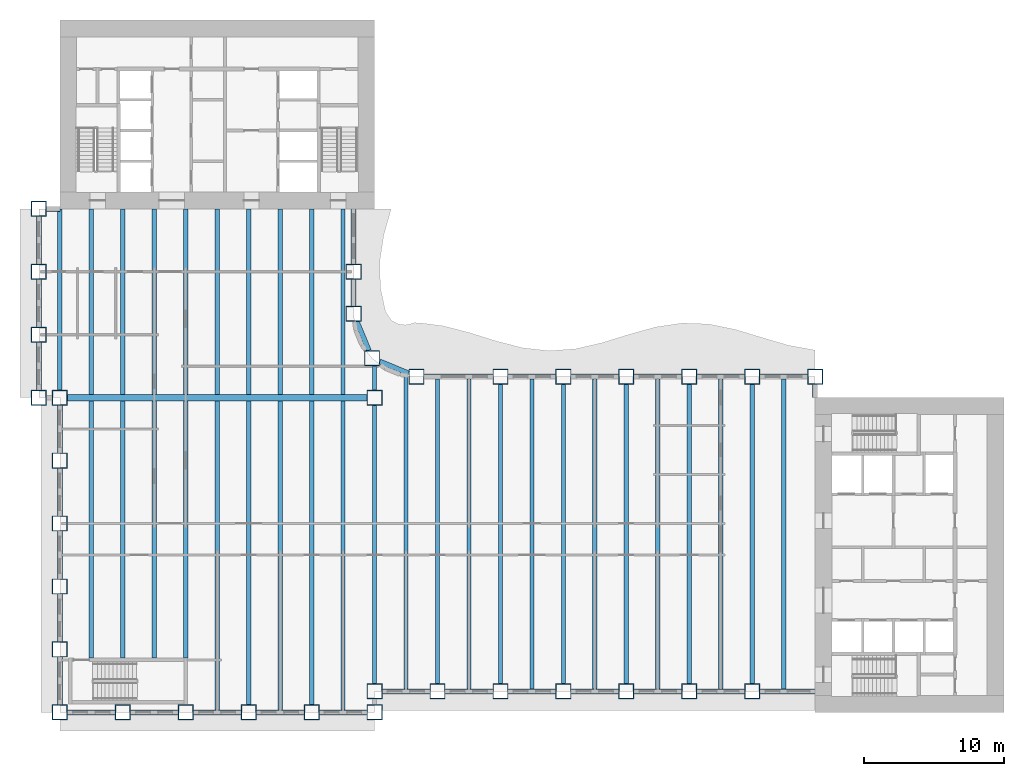
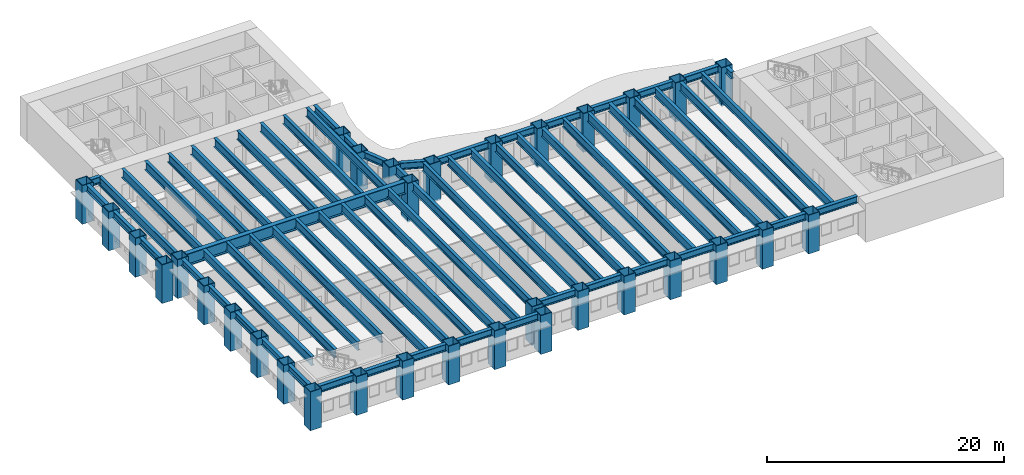
# One storey, part 1 of 16: 67 beams, 33 columns.
"""IFC4 building model written with IfcOpenShell, lengths in metres."""

from ifc_helpers import new_model, si_unit, direction, frame, origin, origin_2d, place, context, subcontext, project, spatial, hollow_rectangle, i_section, extrude, material, material_profile, profile_set, type_object, element, save


model = new_model("IFC4")

# Units and contexts
model_context = context("Model", 3, precision=1e-05, world=origin(), true_north=direction((0.0, 1.0)))
body_context = subcontext(model_context, "Body", "Model", "MODEL_VIEW")
ifc_project = project(units=[si_unit("LENGTHUNIT", "METRE"), si_unit("AREAUNIT", "SQUARE_METRE"), si_unit("VOLUMEUNIT", "CUBIC_METRE"), si_unit("PLANEANGLEUNIT", "RADIAN"), si_unit("MASSUNIT", "GRAM", prefix="KILO")], contexts=[model_context])

# Site, building, storey
site_placement = place(None, origin())
site = spatial("IfcSite", under=ifc_project, at=site_placement, CompositionType="ELEMENT")
building_placement = place(site_placement, origin())
building = spatial("IfcBuilding", under=site, at=building_placement, Name="Sennacour Bend Tower", CompositionType="ELEMENT")
storey_placement = place(building_placement, frame((0.0, 0.0, 45.0)))
storey = spatial("IfcBuildingStorey", under=building, at=storey_placement, Name="L09", CompositionType="ELEMENT", Elevation=45.0)

# Columns
ifc_material_1 = material(Name="Steel ASTM A572 Grade 50", Category="steel")
ifc_material_profile_1 = material_profile(ifc_material_1, hollow_rectangle(XDim=1.10009765625, YDim=1.10009765625, WallThickness=0.06005859375, at=origin_2d()), Name="Steel ASTM A572 Grade 50", Category="steel")
ifc_profile_set_1 = profile_set([ifc_material_profile_1], Name="Steel ASTM A572 Grade 50")
column_type = type_object("IfcColumnType", Name="Box column 1100", PredefinedType="COLUMN", material=ifc_profile_set_1)
for number, where, z_axis, x_axis, name in (
    (1, (-1.5, 22.5, -0.14990234375), (0.0, 0.0, 1.0), (1.0, 0.0, 0.0), "Perimeter column C1 L09-001"),
    (2, (-1.5, 27.0, -0.14990234375), (0.0, 0.0, 1.0), (1.0, 0.0, 0.0), "Perimeter column C1 L09-002"),
    (3, (-1.5, 31.5, -0.14990234375), (0.0, 0.0, 1.0), (1.0, 0.0, 0.0), "Perimeter column C1 L09-003"),
    (4, (-1.5, 36.0, -0.14990234375), (0.0, 0.0, 1.0), (1.0, 0.0, 0.0), "Perimeter column C1 L09-004"),
    (5, (0.0, 0.0, -0.14990234375), (0.0, 0.0, 1.0), (1.0, 0.0, 0.0), "Perimeter column C1 L09-005"),
    (6, (0.0, 4.5, -0.14990234375), (0.0, 0.0, 1.0), (1.0, 0.0, 0.0), "Perimeter column C1 L09-006"),
    (7, (0.0, 9.0, -0.14990234375), (0.0, 0.0, 1.0), (1.0, 0.0, 0.0), "Perimeter column C1 L09-007"),
    (8, (0.0, 13.5, -0.14990234375), (0.0, 0.0, 1.0), (1.0, 0.0, 0.0), "Perimeter column C1 L09-008"),
    (9, (0.0, 18.0, -0.14990234375), (0.0, 0.0, 1.0), (1.0, 0.0, 0.0), "Perimeter column C1 L09-009"),
    (10, (0.0, 22.5, -0.14990234375), (0.0, 0.0, 1.0), (1.0, 0.0, 0.0), "Perimeter column C1 L09-010"),
    (11, (4.5, 0.0, -0.14990234375), (0.0, 0.0, 1.0), (1.0, 0.0, 0.0), "Perimeter column C1 L09-011"),
    (12, (9.0, 0.0, -0.14990234375), (0.0, 0.0, 1.0), (1.0, 0.0, 0.0), "Perimeter column C1 L09-012"),
    (13, (13.5, 0.0, -0.14990234375), (0.0, 0.0, 1.0), (1.0, 0.0, 0.0), "Perimeter column C1 L09-013"),
    (14, (18.0, 0.0, -0.14990234375), (0.0, 0.0, 1.0), (1.0, 0.0, 0.0), "Perimeter column C1 L09-014"),
    (15, (21.0, 28.5, -0.14990234375), (0.0, 0.0, 1.0), (1.0, 0.0, 0.0), "Perimeter column C1 L09-015"),
    (16, (21.0, 31.5, -0.14990234375), (0.0, 0.0, 1.0), (1.0, 0.0, 0.0), "Perimeter column C1 L09-016"),
    (17, (22.318115234375, 25.318115234375, -0.14990234375), (0.0, 0.0, 1.0), (1.0, 0.0, 0.0), "Perimeter column C1 L09-017"),
    (18, (22.5, 0.0, -0.14990234375), (0.0, 0.0, 1.0), (1.0, 0.0, 0.0), "Perimeter column C1 L09-018"),
    (19, (22.5, 1.5, -0.14990234375), (0.0, 0.0, 1.0), (1.0, 0.0, 0.0), "Perimeter column C1 L09-019"),
    (20, (22.5, 22.5, -0.14990234375), (0.0, 0.0, 1.0), (1.0, 0.0, 0.0), "Knuckle column C1 L09-020"),
    (21, (25.5, 24.0, -0.14990234375), (0.0, 0.0, 1.0), (1.0, 0.0, 0.0), "Perimeter column C1 L09-021"),
    (22, (27.0, 1.5, -0.14990234375), (0.0, 0.0, 1.0), (1.0, 0.0, 0.0), "Perimeter column C1 L09-022"),
    (23, (31.5, 1.5, -0.14990234375), (0.0, 0.0, 1.0), (1.0, 0.0, 0.0), "Perimeter column C1 L09-023"),
    (24, (31.5, 24.0, -0.14990234375), (0.0, 0.0, 1.0), (1.0, 0.0, 0.0), "Perimeter column C1 L09-024"),
    (25, (36.0, 1.5, -0.14990234375), (0.0, 0.0, 1.0), (1.0, 0.0, 0.0), "Perimeter column C1 L09-025"),
    (26, (36.0, 24.0, -0.14990234375), (0.0, 0.0, 1.0), (1.0, 0.0, 0.0), "Perimeter column C1 L09-026"),
    (27, (40.5, 1.5, -0.14990234375), (0.0, 0.0, 1.0), (1.0, 0.0, 0.0), "Perimeter column C1 L09-027"),
    (28, (40.5, 24.0, -0.14990234375), (0.0, 0.0, 1.0), (1.0, 0.0, 0.0), "Perimeter column C1 L09-028"),
    (29, (45.0, 1.5, -0.14990234375), (0.0, 0.0, 1.0), (1.0, 0.0, 0.0), "Perimeter column C1 L09-029"),
    (30, (45.0, 24.0, -0.14990234375), (0.0, 0.0, 1.0), (1.0, 0.0, 0.0), "Perimeter column C1 L09-030"),
    (31, (49.5, 1.5, -0.14990234375), (0.0, 0.0, 1.0), (1.0, 0.0, 0.0), "Perimeter column C1 L09-031"),
    (32, (49.5, 24.0, -0.14990234375), (0.0, 0.0, 1.0), (1.0, 0.0, 0.0), "Perimeter column C1 L09-032"),
    (33, (54.0, 24.0, -0.14990234375), (0.0, 0.0, 1.0), (1.0, 0.0, 0.0), "Perimeter column C1 L09-033"),
):
    element("IfcColumn", number, at=place(storey_placement, frame(where, z_axis=z_axis, x_axis=x_axis)), inside=storey, type_object=column_type, Name=name, PredefinedType="COLUMN", context=body_context, shape_type="SweptSolid", body=[
        extrude(hollow_rectangle(XDim=1.10009765625, YDim=1.10009765625, WallThickness=0.06005859375, at=origin_2d()), origin(), (0.0, 0.0, 1.0), 4.0),
    ])

# Beams
ifc_material_2 = material(Name="Steel ASTM A992 Grade 50", Category="steel")
ifc_material_profile_2 = material_profile(ifc_material_2, i_section(OverallWidth=0.304931640625, OverallDepth=0.912109375, WebThickness=0.015869140625, FlangeThickness=0.02392578125, FilletRadius=0.01904296875, at=origin_2d()), Name="Steel ASTM A992 Grade 50", Category="steel")
ifc_profile_set_2 = profile_set([ifc_material_profile_2], Name="Steel ASTM A992 Grade 50")
beam_type_1 = type_object("IfcBeamType", Name="Floor beam W920X223", PredefinedType="BEAM", material=ifc_profile_set_2)
beam_1_placement = place(storey_placement, frame((0.0, 23.050048828125, 3.39404296875), z_axis=(0.0, 1.0, 0.0), x_axis=(-1.0, 0.0, 0.0)))
element("IfcBeam", 34, at=beam_1_placement, inside=storey, type_object=beam_type_1, Name="Floor beam FBM1 L10-001", PredefinedType="BEAM", context=body_context, shape_type="SweptSolid", body=[
    extrude(i_section(OverallWidth=0.304931640625, OverallDepth=0.912109375, WebThickness=0.015869140625, FlangeThickness=0.02392578125, FilletRadius=0.01904296875, at=origin_2d()), origin(), (0.0, 0.0, 1.0), 12.949951171875),
])
beam_2_placement = place(storey_placement, frame((2.25, 3.875, 3.39404296875), z_axis=(0.0, 1.0, 0.0), x_axis=(-1.0, 0.0, 0.0)))
element("IfcBeam", 35, at=beam_2_placement, inside=storey, type_object=beam_type_1, Name="Floor beam FBM1 L10-002", PredefinedType="BEAM", context=body_context, shape_type="SweptSolid", body=[
    extrude(i_section(OverallWidth=0.304931640625, OverallDepth=0.912109375, WebThickness=0.015869140625, FlangeThickness=0.02392578125, FilletRadius=0.01904296875, at=origin_2d()), origin(), (0.0, 0.0, 1.0), 18.39990234375),
])
beam_3_placement = place(storey_placement, frame((2.25, 22.72509765625, 3.39404296875), z_axis=(0.0, 1.0, 0.0), x_axis=(-1.0, 0.0, 0.0)))
element("IfcBeam", 36, at=beam_3_placement, inside=storey, type_object=beam_type_1, Name="Floor beam FBM1 L10-003", PredefinedType="BEAM", context=body_context, shape_type="SweptSolid", body=[
    extrude(i_section(OverallWidth=0.304931640625, OverallDepth=0.912109375, WebThickness=0.015869140625, FlangeThickness=0.02392578125, FilletRadius=0.01904296875, at=origin_2d()), origin(), (0.0, 0.0, 1.0), 13.27490234375),
])
beam_4_placement = place(storey_placement, frame((4.5, 3.875, 3.39404296875), z_axis=(0.0, 1.0, 0.0), x_axis=(-1.0, 0.0, 0.0)))
element("IfcBeam", 37, at=beam_4_placement, inside=storey, type_object=beam_type_1, Name="Floor beam FBM1 L10-004", PredefinedType="BEAM", context=body_context, shape_type="SweptSolid", body=[
    extrude(i_section(OverallWidth=0.304931640625, OverallDepth=0.912109375, WebThickness=0.015869140625, FlangeThickness=0.02392578125, FilletRadius=0.01904296875, at=origin_2d()), origin(), (0.0, 0.0, 1.0), 18.39990234375),
])
beam_5_placement = place(storey_placement, frame((4.5, 22.72509765625, 3.39404296875), z_axis=(0.0, 1.0, 0.0), x_axis=(-1.0, 0.0, 0.0)))
element("IfcBeam", 38, at=beam_5_placement, inside=storey, type_object=beam_type_1, Name="Floor beam FBM1 L10-005", PredefinedType="BEAM", context=body_context, shape_type="SweptSolid", body=[
    extrude(i_section(OverallWidth=0.304931640625, OverallDepth=0.912109375, WebThickness=0.015869140625, FlangeThickness=0.02392578125, FilletRadius=0.01904296875, at=origin_2d()), origin(), (0.0, 0.0, 1.0), 13.27490234375),
])
beam_6_placement = place(storey_placement, frame((6.75, 3.875, 3.39404296875), z_axis=(0.0, 1.0, 0.0), x_axis=(-1.0, 0.0, 0.0)))
element("IfcBeam", 39, at=beam_6_placement, inside=storey, type_object=beam_type_1, Name="Floor beam FBM1 L10-006", PredefinedType="BEAM", context=body_context, shape_type="SweptSolid", body=[
    extrude(i_section(OverallWidth=0.304931640625, OverallDepth=0.912109375, WebThickness=0.015869140625, FlangeThickness=0.02392578125, FilletRadius=0.01904296875, at=origin_2d()), origin(), (0.0, 0.0, 1.0), 18.39990234375),
])
beam_7_placement = place(storey_placement, frame((6.75, 22.72509765625, 3.39404296875), z_axis=(0.0, 1.0, 0.0), x_axis=(-1.0, 0.0, 0.0)))
element("IfcBeam", 40, at=beam_7_placement, inside=storey, type_object=beam_type_1, Name="Floor beam FBM1 L10-007", PredefinedType="BEAM", context=body_context, shape_type="SweptSolid", body=[
    extrude(i_section(OverallWidth=0.304931640625, OverallDepth=0.912109375, WebThickness=0.015869140625, FlangeThickness=0.02392578125, FilletRadius=0.01904296875, at=origin_2d()), origin(), (0.0, 0.0, 1.0), 13.27490234375),
])
beam_8_placement = place(storey_placement, frame((9.0, 3.875, 3.39404296875), z_axis=(0.0, 1.0, 0.0), x_axis=(-1.0, 0.0, 0.0)))
element("IfcBeam", 41, at=beam_8_placement, inside=storey, type_object=beam_type_1, Name="Floor beam FBM1 L10-008", PredefinedType="BEAM", context=body_context, shape_type="SweptSolid", body=[
    extrude(i_section(OverallWidth=0.304931640625, OverallDepth=0.912109375, WebThickness=0.015869140625, FlangeThickness=0.02392578125, FilletRadius=0.01904296875, at=origin_2d()), origin(), (0.0, 0.0, 1.0), 18.39990234375),
])
beam_9_placement = place(storey_placement, frame((9.0, 22.72509765625, 3.39404296875), z_axis=(0.0, 1.0, 0.0), x_axis=(-1.0, 0.0, 0.0)))
element("IfcBeam", 42, at=beam_9_placement, inside=storey, type_object=beam_type_1, Name="Floor beam FBM1 L10-009", PredefinedType="BEAM", context=body_context, shape_type="SweptSolid", body=[
    extrude(i_section(OverallWidth=0.304931640625, OverallDepth=0.912109375, WebThickness=0.015869140625, FlangeThickness=0.02392578125, FilletRadius=0.01904296875, at=origin_2d()), origin(), (0.0, 0.0, 1.0), 13.27490234375),
])
beam_10_placement = place(storey_placement, frame((11.25, 0.178955078125, 3.39404296875), z_axis=(0.0, 1.0, 0.0), x_axis=(-1.0, 0.0, 0.0)))
element("IfcBeam", 43, at=beam_10_placement, inside=storey, type_object=beam_type_1, Name="Floor beam FBM1 L10-010", PredefinedType="BEAM", context=body_context, shape_type="SweptSolid", body=[
    extrude(i_section(OverallWidth=0.304931640625, OverallDepth=0.912109375, WebThickness=0.015869140625, FlangeThickness=0.02392578125, FilletRadius=0.01904296875, at=origin_2d()), origin(), (0.0, 0.0, 1.0), 22.095947265625),
])
beam_11_placement = place(storey_placement, frame((11.25, 22.72509765625, 3.39404296875), z_axis=(0.0, 1.0, 0.0), x_axis=(-1.0, 0.0, 0.0)))
element("IfcBeam", 44, at=beam_11_placement, inside=storey, type_object=beam_type_1, Name="Floor beam FBM1 L10-011", PredefinedType="BEAM", context=body_context, shape_type="SweptSolid", body=[
    extrude(i_section(OverallWidth=0.304931640625, OverallDepth=0.912109375, WebThickness=0.015869140625, FlangeThickness=0.02392578125, FilletRadius=0.01904296875, at=origin_2d()), origin(), (0.0, 0.0, 1.0), 13.27490234375),
])
beam_12_placement = place(storey_placement, frame((13.5, 0.550048828125, 3.39404296875), z_axis=(0.0, 1.0, 0.0), x_axis=(-1.0, 0.0, 0.0)))
element("IfcBeam", 45, at=beam_12_placement, inside=storey, type_object=beam_type_1, Name="Floor beam FBM1 L10-012", PredefinedType="BEAM", context=body_context, shape_type="SweptSolid", body=[
    extrude(i_section(OverallWidth=0.304931640625, OverallDepth=0.912109375, WebThickness=0.015869140625, FlangeThickness=0.02392578125, FilletRadius=0.01904296875, at=origin_2d()), origin(), (0.0, 0.0, 1.0), 21.724853515625),
])
beam_13_placement = place(storey_placement, frame((13.5, 22.72509765625, 3.39404296875), z_axis=(0.0, 1.0, 0.0), x_axis=(-1.0, 0.0, 0.0)))
element("IfcBeam", 46, at=beam_13_placement, inside=storey, type_object=beam_type_1, Name="Floor beam FBM1 L10-013", PredefinedType="BEAM", context=body_context, shape_type="SweptSolid", body=[
    extrude(i_section(OverallWidth=0.304931640625, OverallDepth=0.912109375, WebThickness=0.015869140625, FlangeThickness=0.02392578125, FilletRadius=0.01904296875, at=origin_2d()), origin(), (0.0, 0.0, 1.0), 13.27490234375),
])
beam_14_placement = place(storey_placement, frame((15.75, 0.178955078125, 3.39404296875), z_axis=(0.0, 1.0, 0.0), x_axis=(-1.0, 0.0, 0.0)))
element("IfcBeam", 47, at=beam_14_placement, inside=storey, type_object=beam_type_1, Name="Floor beam FBM1 L10-014", PredefinedType="BEAM", context=body_context, shape_type="SweptSolid", body=[
    extrude(i_section(OverallWidth=0.304931640625, OverallDepth=0.912109375, WebThickness=0.015869140625, FlangeThickness=0.02392578125, FilletRadius=0.01904296875, at=origin_2d()), origin(), (0.0, 0.0, 1.0), 22.095947265625),
])
beam_15_placement = place(storey_placement, frame((15.75, 22.72509765625, 3.39404296875), z_axis=(0.0, 1.0, 0.0), x_axis=(-1.0, 0.0, 0.0)))
element("IfcBeam", 48, at=beam_15_placement, inside=storey, type_object=beam_type_1, Name="Floor beam FBM1 L10-015", PredefinedType="BEAM", context=body_context, shape_type="SweptSolid", body=[
    extrude(i_section(OverallWidth=0.304931640625, OverallDepth=0.912109375, WebThickness=0.015869140625, FlangeThickness=0.02392578125, FilletRadius=0.01904296875, at=origin_2d()), origin(), (0.0, 0.0, 1.0), 13.27490234375),
])
beam_16_placement = place(storey_placement, frame((18.0, 0.550048828125, 3.39404296875), z_axis=(0.0, 1.0, 0.0), x_axis=(-1.0, 0.0, 0.0)))
element("IfcBeam", 49, at=beam_16_placement, inside=storey, type_object=beam_type_1, Name="Floor beam FBM1 L10-016", PredefinedType="BEAM", context=body_context, shape_type="SweptSolid", body=[
    extrude(i_section(OverallWidth=0.304931640625, OverallDepth=0.912109375, WebThickness=0.015869140625, FlangeThickness=0.02392578125, FilletRadius=0.01904296875, at=origin_2d()), origin(), (0.0, 0.0, 1.0), 21.724853515625),
])
beam_17_placement = place(storey_placement, frame((18.0, 22.72509765625, 3.39404296875), z_axis=(0.0, 1.0, 0.0), x_axis=(-1.0, 0.0, 0.0)))
element("IfcBeam", 50, at=beam_17_placement, inside=storey, type_object=beam_type_1, Name="Floor beam FBM1 L10-017", PredefinedType="BEAM", context=body_context, shape_type="SweptSolid", body=[
    extrude(i_section(OverallWidth=0.304931640625, OverallDepth=0.912109375, WebThickness=0.015869140625, FlangeThickness=0.02392578125, FilletRadius=0.01904296875, at=origin_2d()), origin(), (0.0, 0.0, 1.0), 13.27490234375),
])
beam_18_placement = place(storey_placement, frame((20.25, 0.178955078125, 3.39404296875), z_axis=(0.0, 1.0, 0.0), x_axis=(-1.0, 0.0, 0.0)))
element("IfcBeam", 51, at=beam_18_placement, inside=storey, type_object=beam_type_1, Name="Floor beam FBM1 L10-018", PredefinedType="BEAM", context=body_context, shape_type="SweptSolid", body=[
    extrude(i_section(OverallWidth=0.304931640625, OverallDepth=0.912109375, WebThickness=0.015869140625, FlangeThickness=0.02392578125, FilletRadius=0.01904296875, at=origin_2d()), origin(), (0.0, 0.0, 1.0), 22.095947265625),
])
beam_19_placement = place(storey_placement, frame((20.25, 22.72509765625, 3.39404296875), z_axis=(0.0, 1.0, 0.0), x_axis=(-1.0, 0.0, 0.0)))
element("IfcBeam", 52, at=beam_19_placement, inside=storey, type_object=beam_type_1, Name="Floor beam FBM1 L10-019", PredefinedType="BEAM", context=body_context, shape_type="SweptSolid", body=[
    extrude(i_section(OverallWidth=0.304931640625, OverallDepth=0.912109375, WebThickness=0.015869140625, FlangeThickness=0.02392578125, FilletRadius=0.01904296875, at=origin_2d()), origin(), (0.0, 0.0, 1.0), 13.27490234375),
])
beam_20_placement = place(storey_placement, frame((22.5, 2.050048828125, 3.39404296875), z_axis=(0.0, 1.0, 0.0), x_axis=(-1.0, 0.0, 0.0)))
element("IfcBeam", 53, at=beam_20_placement, inside=storey, type_object=beam_type_1, Name="Floor beam FBM1 L10-020", PredefinedType="BEAM", context=body_context, shape_type="SweptSolid", body=[
    extrude(i_section(OverallWidth=0.304931640625, OverallDepth=0.912109375, WebThickness=0.015869140625, FlangeThickness=0.02392578125, FilletRadius=0.01904296875, at=origin_2d()), origin(), (0.0, 0.0, 1.0), 19.89990234375),
])
beam_21_placement = place(storey_placement, frame((22.5, 23.050048828125, 3.39404296875), z_axis=(0.0, 1.0, 0.0), x_axis=(-1.0, 0.0, 0.0)))
element("IfcBeam", 54, at=beam_21_placement, inside=storey, type_object=beam_type_1, Name="Floor beam FBM1 L10-021", PredefinedType="BEAM", context=body_context, shape_type="SweptSolid", body=[
    extrude(i_section(OverallWidth=0.304931640625, OverallDepth=0.912109375, WebThickness=0.015869140625, FlangeThickness=0.02392578125, FilletRadius=0.01904296875, at=origin_2d()), origin(), (0.0, 0.0, 1.0), 1.718017578125),
])
beam_22_placement = place(storey_placement, frame((24.75, 1.678955078125, 3.39404296875), z_axis=(0.0, 1.0, 0.0), x_axis=(-1.0, 0.0, 0.0)))
element("IfcBeam", 55, at=beam_22_placement, inside=storey, type_object=beam_type_1, Name="Floor beam FBM1 L10-022", PredefinedType="BEAM", context=body_context, shape_type="SweptSolid", body=[
    extrude(i_section(OverallWidth=0.304931640625, OverallDepth=0.912109375, WebThickness=0.015869140625, FlangeThickness=0.02392578125, FilletRadius=0.01904296875, at=origin_2d()), origin(), (0.0, 0.0, 1.0), 22.43798828125),
])
beam_23_placement = place(storey_placement, frame((27.0, 2.050048828125, 3.39404296875), z_axis=(0.0, 1.0, 0.0), x_axis=(-1.0, 0.0, 0.0)))
element("IfcBeam", 56, at=beam_23_placement, inside=storey, type_object=beam_type_1, Name="Floor beam FBM1 L10-023", PredefinedType="BEAM", context=body_context, shape_type="SweptSolid", body=[
    extrude(i_section(OverallWidth=0.304931640625, OverallDepth=0.912109375, WebThickness=0.015869140625, FlangeThickness=0.02392578125, FilletRadius=0.01904296875, at=origin_2d()), origin(), (0.0, 0.0, 1.0), 21.77099609375),
])
beam_24_placement = place(storey_placement, frame((29.25, 1.678955078125, 3.39404296875), z_axis=(0.0, 1.0, 0.0), x_axis=(-1.0, 0.0, 0.0)))
element("IfcBeam", 57, at=beam_24_placement, inside=storey, type_object=beam_type_1, Name="Floor beam FBM1 L10-024", PredefinedType="BEAM", context=body_context, shape_type="SweptSolid", body=[
    extrude(i_section(OverallWidth=0.304931640625, OverallDepth=0.912109375, WebThickness=0.015869140625, FlangeThickness=0.02392578125, FilletRadius=0.01904296875, at=origin_2d()), origin(), (0.0, 0.0, 1.0), 22.14208984375),
])
beam_25_placement = place(storey_placement, frame((31.5, 2.050048828125, 3.39404296875), z_axis=(0.0, 1.0, 0.0), x_axis=(-1.0, 0.0, 0.0)))
element("IfcBeam", 58, at=beam_25_placement, inside=storey, type_object=beam_type_1, Name="Floor beam FBM1 L10-025", PredefinedType="BEAM", context=body_context, shape_type="SweptSolid", body=[
    extrude(i_section(OverallWidth=0.304931640625, OverallDepth=0.912109375, WebThickness=0.015869140625, FlangeThickness=0.02392578125, FilletRadius=0.01904296875, at=origin_2d()), origin(), (0.0, 0.0, 1.0), 21.39990234375),
])
beam_26_placement = place(storey_placement, frame((33.75, 1.678955078125, 3.39404296875), z_axis=(0.0, 1.0, 0.0), x_axis=(-1.0, 0.0, 0.0)))
element("IfcBeam", 59, at=beam_26_placement, inside=storey, type_object=beam_type_1, Name="Floor beam FBM1 L10-026", PredefinedType="BEAM", context=body_context, shape_type="SweptSolid", body=[
    extrude(i_section(OverallWidth=0.304931640625, OverallDepth=0.912109375, WebThickness=0.015869140625, FlangeThickness=0.02392578125, FilletRadius=0.01904296875, at=origin_2d()), origin(), (0.0, 0.0, 1.0), 22.14208984375),
])
beam_27_placement = place(storey_placement, frame((36.0, 2.050048828125, 3.39404296875), z_axis=(0.0, 1.0, 0.0), x_axis=(-1.0, 0.0, 0.0)))
element("IfcBeam", 60, at=beam_27_placement, inside=storey, type_object=beam_type_1, Name="Floor beam FBM1 L10-027", PredefinedType="BEAM", context=body_context, shape_type="SweptSolid", body=[
    extrude(i_section(OverallWidth=0.304931640625, OverallDepth=0.912109375, WebThickness=0.015869140625, FlangeThickness=0.02392578125, FilletRadius=0.01904296875, at=origin_2d()), origin(), (0.0, 0.0, 1.0), 21.39990234375),
])
beam_28_placement = place(storey_placement, frame((38.25, 1.678955078125, 3.39404296875), z_axis=(0.0, 1.0, 0.0), x_axis=(-1.0, 0.0, 0.0)))
element("IfcBeam", 61, at=beam_28_placement, inside=storey, type_object=beam_type_1, Name="Floor beam FBM1 L10-028", PredefinedType="BEAM", context=body_context, shape_type="SweptSolid", body=[
    extrude(i_section(OverallWidth=0.304931640625, OverallDepth=0.912109375, WebThickness=0.015869140625, FlangeThickness=0.02392578125, FilletRadius=0.01904296875, at=origin_2d()), origin(), (0.0, 0.0, 1.0), 22.14208984375),
])
beam_29_placement = place(storey_placement, frame((40.5, 2.050048828125, 3.39404296875), z_axis=(0.0, 1.0, 0.0), x_axis=(-1.0, 0.0, 0.0)))
element("IfcBeam", 62, at=beam_29_placement, inside=storey, type_object=beam_type_1, Name="Floor beam FBM1 L10-029", PredefinedType="BEAM", context=body_context, shape_type="SweptSolid", body=[
    extrude(i_section(OverallWidth=0.304931640625, OverallDepth=0.912109375, WebThickness=0.015869140625, FlangeThickness=0.02392578125, FilletRadius=0.01904296875, at=origin_2d()), origin(), (0.0, 0.0, 1.0), 21.39990234375),
])
beam_30_placement = place(storey_placement, frame((42.75, 1.678955078125, 3.39404296875), z_axis=(0.0, 1.0, 0.0), x_axis=(-1.0, 0.0, 0.0)))
element("IfcBeam", 63, at=beam_30_placement, inside=storey, type_object=beam_type_1, Name="Floor beam FBM1 L10-030", PredefinedType="BEAM", context=body_context, shape_type="SweptSolid", body=[
    extrude(i_section(OverallWidth=0.304931640625, OverallDepth=0.912109375, WebThickness=0.015869140625, FlangeThickness=0.02392578125, FilletRadius=0.01904296875, at=origin_2d()), origin(), (0.0, 0.0, 1.0), 22.14208984375),
])
beam_31_placement = place(storey_placement, frame((45.0, 2.050048828125, 3.39404296875), z_axis=(0.0, 1.0, 0.0), x_axis=(-1.0, 0.0, 0.0)))
element("IfcBeam", 64, at=beam_31_placement, inside=storey, type_object=beam_type_1, Name="Floor beam FBM1 L10-031", PredefinedType="BEAM", context=body_context, shape_type="SweptSolid", body=[
    extrude(i_section(OverallWidth=0.304931640625, OverallDepth=0.912109375, WebThickness=0.015869140625, FlangeThickness=0.02392578125, FilletRadius=0.01904296875, at=origin_2d()), origin(), (0.0, 0.0, 1.0), 21.39990234375),
])
beam_32_placement = place(storey_placement, frame((47.25, 1.678955078125, 3.39404296875), z_axis=(0.0, 1.0, 0.0), x_axis=(-1.0, 0.0, 0.0)))
element("IfcBeam", 65, at=beam_32_placement, inside=storey, type_object=beam_type_1, Name="Floor beam FBM1 L10-032", PredefinedType="BEAM", context=body_context, shape_type="SweptSolid", body=[
    extrude(i_section(OverallWidth=0.304931640625, OverallDepth=0.912109375, WebThickness=0.015869140625, FlangeThickness=0.02392578125, FilletRadius=0.01904296875, at=origin_2d()), origin(), (0.0, 0.0, 1.0), 22.14208984375),
])
beam_33_placement = place(storey_placement, frame((49.5, 2.050048828125, 3.39404296875), z_axis=(0.0, 1.0, 0.0), x_axis=(-1.0, 0.0, 0.0)))
element("IfcBeam", 66, at=beam_33_placement, inside=storey, type_object=beam_type_1, Name="Floor beam FBM1 L10-033", PredefinedType="BEAM", context=body_context, shape_type="SweptSolid", body=[
    extrude(i_section(OverallWidth=0.304931640625, OverallDepth=0.912109375, WebThickness=0.015869140625, FlangeThickness=0.02392578125, FilletRadius=0.01904296875, at=origin_2d()), origin(), (0.0, 0.0, 1.0), 21.39990234375),
])
beam_34_placement = place(storey_placement, frame((51.75, 1.678955078125, 3.39404296875), z_axis=(0.0, 1.0, 0.0), x_axis=(-1.0, 0.0, 0.0)))
element("IfcBeam", 67, at=beam_34_placement, inside=storey, type_object=beam_type_1, Name="Floor beam FBM1 L10-034", PredefinedType="BEAM", context=body_context, shape_type="SweptSolid", body=[
    extrude(i_section(OverallWidth=0.304931640625, OverallDepth=0.912109375, WebThickness=0.015869140625, FlangeThickness=0.02392578125, FilletRadius=0.01904296875, at=origin_2d()), origin(), (0.0, 0.0, 1.0), 22.14208984375),
])
ifc_material_profile_3 = material_profile(ifc_material_1, i_section(OverallWidth=0.449951171875, OverallDepth=1.25, WebThickness=0.028076171875, FlangeThickness=0.050048828125, at=origin_2d()), Name="Steel ASTM A572 Grade 50", Category="steel")
ifc_profile_set_3 = profile_set([ifc_material_profile_3], Name="Steel ASTM A572 Grade 50")
beam_type_2 = type_object("IfcBeamType", Name="Knuckle girder 1250", PredefinedType="USERDEFINED", material=ifc_profile_set_3)
beam_35_placement = place(storey_placement, frame((0.550048828125, 22.5, 3.22509765625), z_axis=(1.0, 0.0, 0.0), x_axis=(0.0, 1.0, 0.0)))
element("IfcBeam", 68, at=beam_35_placement, inside=storey, type_object=beam_type_2, Name="Knuckle girder GK L10-001", ObjectType="KNUCKLE GIRDER", PredefinedType="USERDEFINED", context=body_context, shape_type="SweptSolid", body=[
    extrude(i_section(OverallWidth=0.449951171875, OverallDepth=1.25, WebThickness=0.028076171875, FlangeThickness=0.050048828125, at=origin_2d()), origin(), (0.0, 0.0, 1.0), 21.39990234375),
])
ifc_material_profile_4 = material_profile(ifc_material_2, i_section(OverallWidth=0.35791015625, OverallDepth=0.7060546875, WebThickness=0.018310546875, FlangeThickness=0.0302734375, FilletRadius=0.02001953125, at=origin_2d()), Name="Steel ASTM A992 Grade 50", Category="steel")
ifc_profile_set_4 = profile_set([ifc_material_profile_4], Name="Steel ASTM A992 Grade 50")
beam_type_3 = type_object("IfcBeamType", Name="Spandrel beam W690X265", PredefinedType="SPANDREL", material=ifc_profile_set_4)
for number, where, z_axis, x_axis, name in (
    (69, (0.0, 0.550048828125, 3.4970703125), (0.0, 1.0, 0.0), (-1.0, 0.0, 0.0), "Spandrel beam SP2 L10-001"),
    (70, (0.0, 5.050048828125, 3.4970703125), (0.0, 1.0, 0.0), (-1.0, 0.0, 0.0), "Spandrel beam SP2 L10-002"),
    (71, (0.0, 9.550048828125, 3.4970703125), (0.0, 1.0, 0.0), (-1.0, 0.0, 0.0), "Spandrel beam SP2 L10-003"),
    (72, (0.0, 14.050048828125, 3.4970703125), (0.0, 1.0, 0.0), (-1.0, 0.0, 0.0), "Spandrel beam SP2 L10-004"),
    (73, (0.0, 18.550048828125, 3.4970703125), (0.0, 1.0, 0.0), (-1.0, 0.0, 0.0), "Spandrel beam SP2 L10-005"),
    (74, (-1.5, 23.050048828125, 3.4970703125), (0.0, 1.0, 0.0), (-1.0, 0.0, 0.0), "Spandrel beam SP2 L10-006"),
    (75, (-1.5, 27.550048828125, 3.4970703125), (0.0, 1.0, 0.0), (-1.0, 0.0, 0.0), "Spandrel beam SP2 L10-007"),
    (76, (-1.5, 32.050048828125, 3.4970703125), (0.0, 1.0, 0.0), (-1.0, 0.0, 0.0), "Spandrel beam SP2 L10-008"),
):
    element("IfcBeam", number, at=place(storey_placement, frame(where, z_axis=z_axis, x_axis=x_axis)), inside=storey, type_object=beam_type_3, Name=name, PredefinedType="SPANDREL", context=body_context, shape_type="SweptSolid", body=[
        extrude(i_section(OverallWidth=0.35791015625, OverallDepth=0.7060546875, WebThickness=0.018310546875, FlangeThickness=0.0302734375, FilletRadius=0.02001953125, at=origin_2d()), origin(), (0.0, 0.0, 1.0), 3.39990234375),
    ])
beam_36_placement = place(storey_placement, frame((-0.949951171875, 36.0, 3.4970703125), z_axis=(1.0, 0.0, 0.0), x_axis=(0.0, 1.0, 0.0)))
element("IfcBeam", 77, at=beam_36_placement, inside=storey, type_object=beam_type_3, Name="Spandrel beam SP2 L10-009", PredefinedType="SPANDREL", context=body_context, shape_type="SweptSolid", body=[
    extrude(i_section(OverallWidth=0.35791015625, OverallDepth=0.7060546875, WebThickness=0.018310546875, FlangeThickness=0.0302734375, FilletRadius=0.02001953125, at=origin_2d()), origin(), (0.0, 0.0, 1.0), 0.949951171875),
])
beam_37_placement = place(storey_placement, frame((21.0, 36.0, 3.4970703125), z_axis=(0.0, -1.0, 0.0), x_axis=(1.0, 0.0, 0.0)))
element("IfcBeam", 78, at=beam_37_placement, inside=storey, type_object=beam_type_3, Name="Spandrel beam SP2 L10-010", PredefinedType="SPANDREL", context=body_context, shape_type="SweptSolid", body=[
    extrude(i_section(OverallWidth=0.35791015625, OverallDepth=0.7060546875, WebThickness=0.018310546875, FlangeThickness=0.0302734375, FilletRadius=0.02001953125, at=origin_2d()), origin(), (0.0, 0.0, 1.0), 3.949951171875),
])
beam_38_placement = place(storey_placement, frame((21.0, 30.949951171875, 3.4970703125), z_axis=(0.0, -1.0, 0.0), x_axis=(1.0, 0.0, 0.0)))
element("IfcBeam", 79, at=beam_38_placement, inside=storey, type_object=beam_type_3, Name="Spandrel beam SP2 L10-011", PredefinedType="SPANDREL", context=body_context, shape_type="SweptSolid", body=[
    extrude(i_section(OverallWidth=0.35791015625, OverallDepth=0.7060546875, WebThickness=0.018310546875, FlangeThickness=0.0302734375, FilletRadius=0.02001953125, at=origin_2d()), origin(), (0.0, 0.0, 1.0), 1.89990234375),
])
for number, where, z_axis, x_axis, name in (
    (80, (21.227783203125, 27.949951171875, 3.4970703125), (0.382645217415, -0.923895360736, 0.0), (0.923895360736, 0.382645217415, 0.0), "Spandrel beam SP2 L10-012"),
    (81, (22.867919921875, 25.090087890625, 3.4970703125), (0.923895360736, -0.382645217415, 0.0), (0.382645217415, 0.923895360736, 0.0), "Spandrel beam SP2 L10-013"),
):
    element("IfcBeam", number, at=place(storey_placement, frame(where, z_axis=z_axis, x_axis=x_axis)), inside=storey, type_object=beam_type_3, Name=name, PredefinedType="SPANDREL", context=body_context, shape_type="SweptSolid", body=[
        extrude(i_section(OverallWidth=0.35791015625, OverallDepth=0.7060546875, WebThickness=0.018310546875, FlangeThickness=0.0302734375, FilletRadius=0.02001953125, at=origin_2d()), origin(), (0.0, 0.0, 1.0), 2.25341796875),
    ])
beam_39_placement = place(storey_placement, frame((26.050048828125, 24.0, 3.4970703125), z_axis=(1.0, 0.0, 0.0), x_axis=(0.0, 1.0, 0.0)))
element("IfcBeam", 82, at=beam_39_placement, inside=storey, type_object=beam_type_3, Name="Spandrel beam SP2 L10-014", PredefinedType="SPANDREL", context=body_context, shape_type="SweptSolid", body=[
    extrude(i_section(OverallWidth=0.35791015625, OverallDepth=0.7060546875, WebThickness=0.018310546875, FlangeThickness=0.0302734375, FilletRadius=0.02001953125, at=origin_2d()), origin(), (0.0, 0.0, 1.0), 4.89990234375),
])
for number, where, z_axis, x_axis, name in (
    (83, (32.050048828125, 24.0, 3.4970703125), (1.0, 0.0, 0.0), (0.0, 1.0, 0.0), "Spandrel beam SP2 L10-015"),
    (84, (36.550048828125, 24.0, 3.4970703125), (1.0, 0.0, 0.0), (0.0, 1.0, 0.0), "Spandrel beam SP2 L10-016"),
    (85, (41.050048828125, 24.0, 3.4970703125), (1.0, 0.0, 0.0), (0.0, 1.0, 0.0), "Spandrel beam SP2 L10-017"),
    (86, (45.550048828125, 24.0, 3.4970703125), (1.0, 0.0, 0.0), (0.0, 1.0, 0.0), "Spandrel beam SP2 L10-018"),
    (87, (50.050048828125, 24.0, 3.4970703125), (1.0, 0.0, 0.0), (0.0, 1.0, 0.0), "Spandrel beam SP2 L10-019"),
):
    element("IfcBeam", number, at=place(storey_placement, frame(where, z_axis=z_axis, x_axis=x_axis)), inside=storey, type_object=beam_type_3, Name=name, PredefinedType="SPANDREL", context=body_context, shape_type="SweptSolid", body=[
        extrude(i_section(OverallWidth=0.35791015625, OverallDepth=0.7060546875, WebThickness=0.018310546875, FlangeThickness=0.0302734375, FilletRadius=0.02001953125, at=origin_2d()), origin(), (0.0, 0.0, 1.0), 3.39990234375),
    ])
beam_40_placement = place(storey_placement, frame((54.0, 23.449951171875, 3.4970703125), z_axis=(0.0, -1.0, 0.0), x_axis=(1.0, 0.0, 0.0)))
element("IfcBeam", 88, at=beam_40_placement, inside=storey, type_object=beam_type_3, Name="Spandrel beam SP2 L10-020", PredefinedType="SPANDREL", context=body_context, shape_type="SweptSolid", body=[
    extrude(i_section(OverallWidth=0.35791015625, OverallDepth=0.7060546875, WebThickness=0.018310546875, FlangeThickness=0.0302734375, FilletRadius=0.02001953125, at=origin_2d()), origin(), (0.0, 0.0, 1.0), 0.949951171875),
])
beam_41_placement = place(storey_placement, frame((54.0, 1.5, 3.4970703125), z_axis=(-1.0, 0.0, 0.0), x_axis=(0.0, -1.0, 0.0)))
element("IfcBeam", 89, at=beam_41_placement, inside=storey, type_object=beam_type_3, Name="Spandrel beam SP2 L10-021", PredefinedType="SPANDREL", context=body_context, shape_type="SweptSolid", body=[
    extrude(i_section(OverallWidth=0.35791015625, OverallDepth=0.7060546875, WebThickness=0.018310546875, FlangeThickness=0.0302734375, FilletRadius=0.02001953125, at=origin_2d()), origin(), (0.0, 0.0, 1.0), 3.949951171875),
])
for number, where, z_axis, x_axis, name in (
    (90, (48.949951171875, 1.5, 3.4970703125), (-1.0, 0.0, 0.0), (0.0, -1.0, 0.0), "Spandrel beam SP2 L10-022"),
    (91, (44.449951171875, 1.5, 3.4970703125), (-1.0, 0.0, 0.0), (0.0, -1.0, 0.0), "Spandrel beam SP2 L10-023"),
    (92, (39.949951171875, 1.5, 3.4970703125), (-1.0, 0.0, 0.0), (0.0, -1.0, 0.0), "Spandrel beam SP2 L10-024"),
    (93, (35.449951171875, 1.5, 3.4970703125), (-1.0, 0.0, 0.0), (0.0, -1.0, 0.0), "Spandrel beam SP2 L10-025"),
    (94, (30.949951171875, 1.5, 3.4970703125), (-1.0, 0.0, 0.0), (0.0, -1.0, 0.0), "Spandrel beam SP2 L10-026"),
    (95, (26.449951171875, 1.5, 3.4970703125), (-1.0, 0.0, 0.0), (0.0, -1.0, 0.0), "Spandrel beam SP2 L10-027"),
    (96, (21.949951171875, 0.0, 3.4970703125), (-1.0, 0.0, 0.0), (0.0, -1.0, 0.0), "Spandrel beam SP2 L10-028"),
    (97, (17.449951171875, 0.0, 3.4970703125), (-1.0, 0.0, 0.0), (0.0, -1.0, 0.0), "Spandrel beam SP2 L10-029"),
    (98, (12.949951171875, 0.0, 3.4970703125), (-1.0, 0.0, 0.0), (0.0, -1.0, 0.0), "Spandrel beam SP2 L10-030"),
    (99, (8.449951171875, 0.0, 3.4970703125), (-1.0, 0.0, 0.0), (0.0, -1.0, 0.0), "Spandrel beam SP2 L10-031"),
    (100, (3.949951171875, 0.0, 3.4970703125), (-1.0, 0.0, 0.0), (0.0, -1.0, 0.0), "Spandrel beam SP2 L10-032"),
):
    element("IfcBeam", number, at=place(storey_placement, frame(where, z_axis=z_axis, x_axis=x_axis)), inside=storey, type_object=beam_type_3, Name=name, PredefinedType="SPANDREL", context=body_context, shape_type="SweptSolid", body=[
        extrude(i_section(OverallWidth=0.35791015625, OverallDepth=0.7060546875, WebThickness=0.018310546875, FlangeThickness=0.0302734375, FilletRadius=0.02001953125, at=origin_2d()), origin(), (0.0, 0.0, 1.0), 3.39990234375),
    ])

save(model, "model.ifc")
